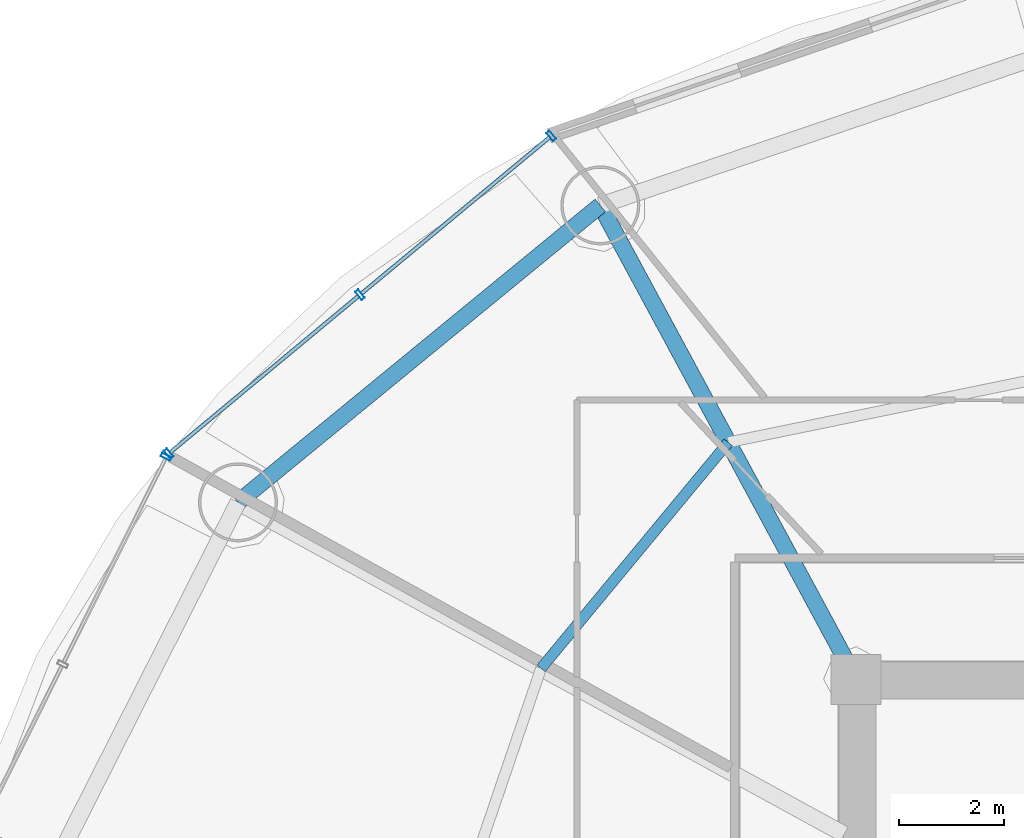
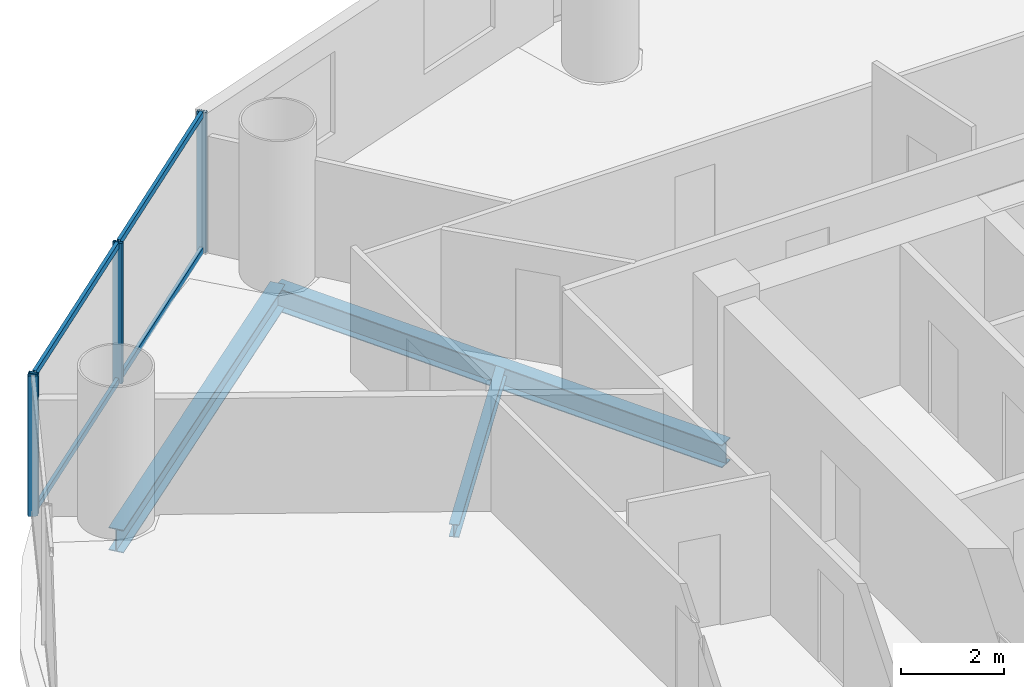
# One storey, part 16 of 29: 8 members, 3 beams, 2 elements without a shape of their own.
"""IFC4 building model written with IfcOpenShell, lengths in metres."""

from ifc_helpers import new_model, si_unit, direction, frame, origin, origin_2d, place, context, subcontext, project, spatial, hollow_rectangle, i_section, extrude, source, transform, mapped, material, material_profile, profile_set, type_object, element, aggregate, save


model = new_model("IFC4")

# Units and contexts
model_context = context("Model", 3, precision=1e-05, world=origin(), true_north=direction((-0.2419218956, 0.970295726276)))
body_context = subcontext(model_context, "Body", "Model", "MODEL_VIEW")
ifc_project = project(units=[si_unit("LENGTHUNIT", "METRE"), si_unit("AREAUNIT", "SQUARE_METRE"), si_unit("VOLUMEUNIT", "CUBIC_METRE"), si_unit("PLANEANGLEUNIT", "RADIAN"), si_unit("MASSUNIT", "GRAM", prefix="KILO")], contexts=[model_context])

# Site, building, storey
site_placement = place(None, origin())
site = spatial("IfcSite", under=ifc_project, at=site_placement, CompositionType="ELEMENT")
building_placement = place(site_placement, origin())
building = spatial("IfcBuilding", under=site, at=building_placement, Name="Cobrevalo Terracotta Tower", CompositionType="ELEMENT")
storey_placement = place(building_placement, frame((0.0, 0.0, 123.0)))
storey = spatial("IfcBuildingStorey", under=building, at=storey_placement, Name="L32", CompositionType="ELEMENT", Elevation=123.0)

# Beams
ifc_material_1 = material(Name="Steel S355", Category="steel")
ifc_material_profile_1 = material_profile(ifc_material_1, i_section(OverallWidth=0.31201171875, OverallDepth=0.54296875, WebThickness=0.0126953125, FlangeThickness=0.020263671875, at=origin_2d()), Name="W 530x150")
ifc_profile_set_1 = profile_set([ifc_material_profile_1], Name="Steel S355")
beam_type_1 = type_object("IfcBeamType", Name="Structural Beam W 530x150 (Steel S355)", PredefinedType="BEAM", material=ifc_profile_set_1)
beam_1_placement = place(storey_placement, frame((24.138427734375, 43.803466796875, -0.54638671875), z_axis=(0.475128224431, -0.879916570107, 0.0), x_axis=(0.879916570107, 0.475128224431, 0.0)))
element("IfcBeam", 1, at=beam_1_placement, inside=storey, type_object=beam_type_1, Name="L32 radial floor girder 06", PredefinedType="BEAM", context=body_context, shape_type="SweptSolid", body=[
    extrude(i_section(OverallWidth=0.31201171875, OverallDepth=0.54296875, WebThickness=0.0126953125, FlangeThickness=0.020263671875, at=origin_2d()), origin(), (0.0, 0.0, 1.0), 10.232177734375),
])
ifc_material_profile_2 = material_profile(ifc_material_1, i_section(OverallWidth=0.2041015625, OverallDepth=0.305908203125, WebThickness=0.008544921875, FlangeThickness=0.0146484375, at=origin_2d()), Name="W 310x67")
ifc_profile_set_2 = profile_set([ifc_material_profile_2], Name="Steel S355")
beam_type_2 = type_object("IfcBeamType", Name="Structural Joist W 310x67 (Steel S355)", PredefinedType="JOIST", material=ifc_profile_set_2)
beam_2_placement = place(storey_placement, frame((26.5693359375, 39.3017578125, -0.427978515625), z_axis=(-0.6379592588, -0.77007011636, 0.0), x_axis=(0.77007011636, -0.6379592588, 0.0)))
element("IfcBeam", 2, at=beam_2_placement, inside=storey, type_object=beam_type_2, Name="L32 circumferential secondary floor joist 06", PredefinedType="JOIST", context=body_context, shape_type="SweptSolid", body=[
    extrude(i_section(OverallWidth=0.2041015625, OverallDepth=0.305908203125, WebThickness=0.008544921875, FlangeThickness=0.0146484375, at=origin_2d()), origin(), (0.0, 0.0, 1.0), 5.575439453125),
])
ifc_material_profile_3 = material_profile(ifc_material_1, i_section(OverallWidth=0.31201171875, OverallDepth=0.54296875, WebThickness=0.0126953125, FlangeThickness=0.020263671875, at=origin_2d()), Name="W 530x150")
ifc_profile_set_3 = profile_set([ifc_material_profile_3], Name="Steel S355")
beam_type_3 = type_object("IfcBeamType", Name="Structural Spandrel W 530x150 (Steel S355)", PredefinedType="SPANDREL", material=ifc_profile_set_3)
beam_3_placement = place(storey_placement, frame((24.138427734375, 43.803466796875, -0.54638671875), z_axis=(-0.773400923541, -0.633917196064, 0.0), x_axis=(0.633917196064, -0.773400923541, 0.0)))
element("IfcBeam", 3, at=beam_3_placement, inside=storey, type_object=beam_type_3, Name="L32 perimeter ring spandrel 06", PredefinedType="SPANDREL", context=body_context, shape_type="SweptSolid", body=[
    extrude(i_section(OverallWidth=0.31201171875, OverallDepth=0.54296875, WebThickness=0.0126953125, FlangeThickness=0.020263671875, at=origin_2d()), origin(), (0.0, 0.0, 1.0), 8.900390625),
])

# Curtain wall, members
ifc_material_2 = material(Name="Anodized aluminium", Category="aluminium")
curtain_wall_type = type_object("IfcCurtainWallType", Name="Lower-tower unitised acoustic low-E curtain wall CW-U1", PredefinedType="NOTDEFINED", material=ifc_material_2)
curtain_wall_1_placement = place(storey_placement, origin())
curtain_wall_1 = element("IfcCurtainWall", 4, at=curtain_wall_1_placement, inside=storey, type_object=curtain_wall_type, Name="L32 curtain wall CW-L32-S06", PredefinedType="NOTDEFINED")
ifc_material_profile_4 = material_profile(ifc_material_2, hollow_rectangle(XDim=0.074951171875, YDim=0.199951171875, WallThickness=0.0048828125, at=origin_2d()), Name="CWM 75x200")
ifc_profile_set_4 = profile_set([ifc_material_profile_4], Name="Anodized aluminium")
member_type_1 = type_object("IfcMemberType", Name="Lower/mid tower unitised mullion 75x200", PredefinedType="MULLION", material=ifc_profile_set_4)
shared_shape_1 = source(origin(), body_context, "Body", "SweptSolid", [
    extrude(hollow_rectangle(XDim=0.074951171875, YDim=0.199951171875, WallThickness=0.0048828125, at=origin_2d()), origin(), (0.0, 0.0, 1.0), 3.324951171875),
])
member_1_placement = place(storey_placement, frame((23.207763671875, 45.125, 0.0), z_axis=(0.0, 0.0, 1.0), x_axis=(-0.769243451658, -0.638955798222, 0.0)))
member_1 = element("IfcMember", 5, at=member_1_placement, type_object=member_type_1, Name="CW-L32-S06 vertical mullion 01", PredefinedType="MULLION", context=body_context, shape_type="MappedRepresentation", body=[
    mapped(shared_shape_1, transform((0.0, 0.0, 0.0), scale=1.0)),
])
member_2_placement = place(storey_placement, frame((19.5732421875, 42.10595703125, 0.0), z_axis=(0.0, 0.0, 1.0), x_axis=(-0.769243451658, -0.638955798222, 0.0)))
member_2 = element("IfcMember", 6, at=member_2_placement, type_object=member_type_1, Name="CW-L32-S06 vertical mullion 02", PredefinedType="MULLION", context=body_context, shape_type="MappedRepresentation", body=[
    mapped(shared_shape_1, transform((0.0, 0.0, 0.0), scale=1.0)),
])
member_3_placement = place(storey_placement, frame((15.938720703125, 39.0869140625, 0.0), z_axis=(0.0, 0.0, 1.0), x_axis=(-0.769243451658, -0.638955798222, 0.0)))
member_3 = element("IfcMember", 7, at=member_3_placement, type_object=member_type_1, Name="CW-L32-S06 vertical mullion 03", PredefinedType="MULLION", context=body_context, shape_type="MappedRepresentation", body=[
    mapped(shared_shape_1, transform((0.0, 0.0, 0.0), scale=1.0)),
])

# Curtain wall, member
curtain_wall_2_placement = place(storey_placement, origin())
curtain_wall_2 = element("IfcCurtainWall", 8, at=curtain_wall_2_placement, inside=storey, type_object=curtain_wall_type, Name="L32 curtain wall CW-L32-S07", PredefinedType="NOTDEFINED")
member_4_placement = place(storey_placement, frame((15.889892578125, 39.025634765625, 0.0), z_axis=(0.0, 0.0, 1.0), x_axis=(-0.446260290227, -0.894903208937, 0.0)))
member_4 = element("IfcMember", 9, at=member_4_placement, type_object=member_type_1, Name="CW-L32-S07 vertical mullion 01", PredefinedType="MULLION", context=body_context, shape_type="MappedRepresentation", body=[
    mapped(shared_shape_1, transform((0.0, 0.0, 0.0), scale=1.0)),
])
aggregate(curtain_wall_2, [member_4])

# Member
ifc_material_profile_5 = material_profile(ifc_material_2, hollow_rectangle(XDim=0.074951171875, YDim=0.14990234375, WallThickness=0.00439453125, at=origin_2d()), Name="CWT 75x150")
ifc_profile_set_5 = profile_set([ifc_material_profile_5], Name="Anodized aluminium")
member_type_2 = type_object("IfcMemberType", Name="Tower unitised aluminium transom 75x150", PredefinedType="USERDEFINED", material=ifc_profile_set_5)
shared_shape_2 = source(origin(), body_context, "Body", "SweptSolid", [
    extrude(hollow_rectangle(XDim=0.074951171875, YDim=0.14990234375, WallThickness=0.00439453125, at=origin_2d()), origin(), (0.0, 0.0, 1.0), 4.644775390625),
])
member_5_placement = place(storey_placement, frame((23.177001953125, 45.099365234375, 0.050048828125), z_axis=(-0.76924999091, -0.638947925487, 0.0), x_axis=(0.638947925487, -0.76924999091, 0.0)))
member_5 = element("IfcMember", 10, at=member_5_placement, type_object=member_type_2, Name="CW-L32-S06 transom B01-T1", ObjectType="TRANSOM", PredefinedType="USERDEFINED", context=body_context, shape_type="MappedRepresentation", body=[
    mapped(shared_shape_2, transform((0.0, 0.0, 0.0), scale=1.0)),
])

member_6_placement = place(storey_placement, frame((23.177001953125, 45.099365234375, 3.27490234375), z_axis=(-0.76924999091, -0.638947925487, 0.0), x_axis=(0.638947925487, -0.76924999091, 0.0)))
member_6 = element("IfcMember", 11, at=member_6_placement, type_object=member_type_2, Name="CW-L32-S06 transom B01-T2", ObjectType="TRANSOM", PredefinedType="USERDEFINED", context=body_context, shape_type="MappedRepresentation", body=[
    mapped(shared_shape_2, transform((0.0, 0.0, 0.0), scale=1.0)),
])

member_7_placement = place(storey_placement, frame((19.54248046875, 42.080322265625, 0.050048828125), z_axis=(-0.76924999091, -0.638947925487, 0.0), x_axis=(0.638947925487, -0.76924999091, 0.0)))
member_7 = element("IfcMember", 12, at=member_7_placement, type_object=member_type_2, Name="CW-L32-S06 transom B02-T1", ObjectType="TRANSOM", PredefinedType="USERDEFINED", context=body_context, shape_type="MappedRepresentation", body=[
    mapped(shared_shape_2, transform((0.0, 0.0, 0.0), scale=1.0)),
])

member_8_placement = place(storey_placement, frame((19.54248046875, 42.080322265625, 3.27490234375), z_axis=(-0.76924999091, -0.638947925487, 0.0), x_axis=(0.638947925487, -0.76924999091, 0.0)))
member_8 = element("IfcMember", 13, at=member_8_placement, type_object=member_type_2, Name="CW-L32-S06 transom B02-T2", ObjectType="TRANSOM", PredefinedType="USERDEFINED", context=body_context, shape_type="MappedRepresentation", body=[
    mapped(shared_shape_2, transform((0.0, 0.0, 0.0), scale=1.0)),
])

aggregate(curtain_wall_1, [member_1, member_2, member_3, member_5, member_6, member_7, member_8])

save(model, "model.ifc")
